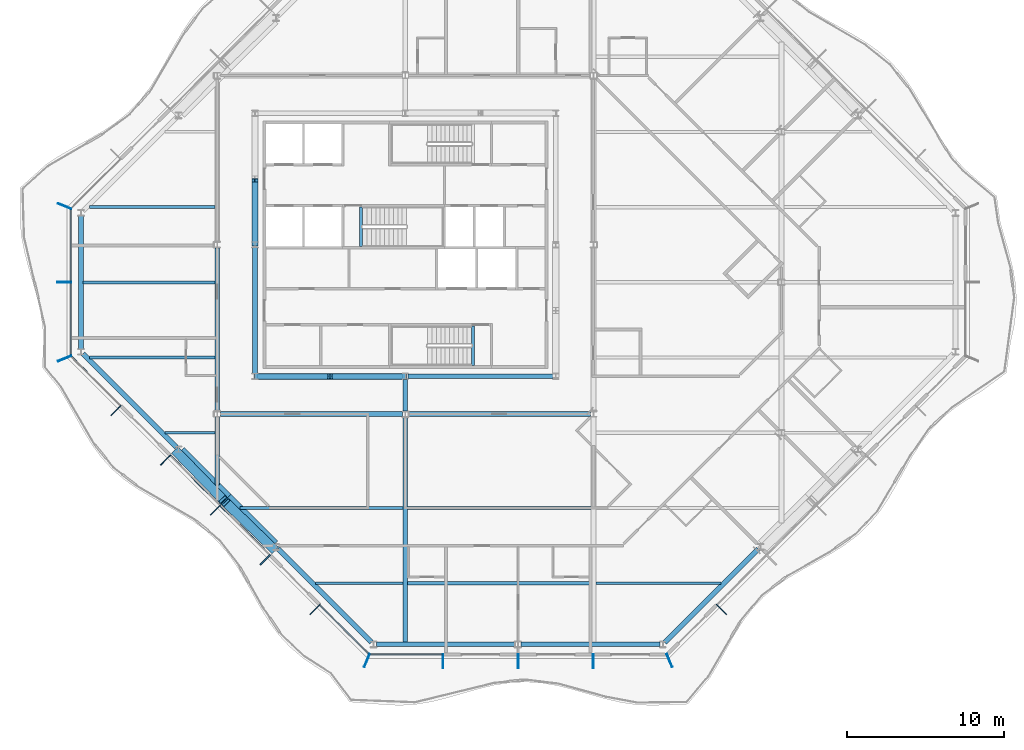
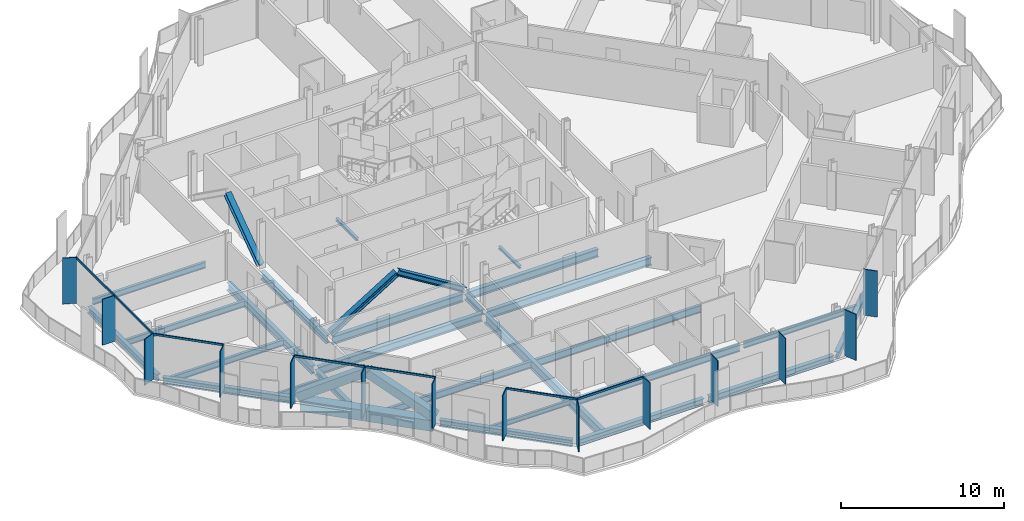
# One storey, part 3 of 17: 28 beams, 26 members, 4 elements without a shape of their own.
"""IFC4 building model written with IfcOpenShell, lengths in metres."""

import ifcopenshell
import ifcopenshell.guid

model = None  # the IFC model being written
_history = None  # IfcOwnerHistory: only IFC2X3 demands one
_inside = {}  # id of a spatial element -> (the spatial element, [elements in it])
_under = {}  # id of a project, library or spatial element -> (it, [spatial elements below it])
_declared = {}  # id of a project -> (the project, [libraries it declares])
_typed = {}  # id of a type object -> (the type object, [elements of that type])
_made_of = {}  # id of a material, layer set ... -> (it, [elements and type objects made of it])


def new_model(schema):
    """Start an empty IFC model of exactly this schema.

    Asked for "IFC4X3", IfcOpenShell would pick the latest addendum, in which some entities
    have other attributes; the version numbers below select the first issue.
    IFC2X3 requires an IfcOwnerHistory on every rooted entity: one is made here for all.
    """
    global model, _history
    if schema == "IFC4X3":
        model = ifcopenshell.file(schema_version=(4, 3, 0, 0))
    else:
        model = ifcopenshell.file(schema=schema)
    _inside.clear()
    _under.clear()
    _declared.clear()
    _typed.clear()
    _made_of.clear()
    _history = None
    if model.schema == "IFC2X3":
        org = make("IfcOrganization", Name="unknown")
        user = make(
            "IfcPersonAndOrganization",
            ThePerson=make("IfcPerson", FamilyName="unknown"),
            TheOrganization=org,
        )
        app = make(
            "IfcApplication",
            ApplicationDeveloper=org,
            Version="unknown",
            ApplicationFullName="unknown",
            ApplicationIdentifier="unknown",
        )
        _history = make(
            "IfcOwnerHistory",
            OwningUser=user,
            OwningApplication=app,
            ChangeAction="ADDED",
            CreationDate=0,
        )
    return model


def make(cls, **values):
    """One entity of the class cls with the attributes given. An attribute that is None is left unset."""
    return model.create_entity(
        cls, **{name: value for name, value in values.items() if value is not None}
    )


def rooted(cls, **values):
    """An entity with a GlobalId (a new one), such as an element, a storey or a relation."""
    return make(cls, GlobalId=ifcopenshell.guid.new(), OwnerHistory=_history, **values)


def si_unit(unit_type, name, prefix=None):
    """IfcSIUnit, for example si_unit("LENGTHUNIT", "METRE", prefix="MILLI")."""
    return make("IfcSIUnit", UnitType=unit_type, Prefix=prefix, Name=name)


def assignment(units):
    """IfcUnitAssignment: the units of a project."""
    return None if units is None else make("IfcUnitAssignment", Units=units)


def point(xyz):
    """IfcCartesianPoint."""
    return None if xyz is None else make("IfcCartesianPoint", Coordinates=xyz)


def direction(xyz):
    """IfcDirection."""
    return None if xyz is None else make("IfcDirection", DirectionRatios=xyz)


def frame(location, z_axis=None, x_axis=None):
    """IfcAxis2Placement3D, a coordinate frame: its origin and axes. An axis left out is left unset."""
    return make(
        "IfcAxis2Placement3D",
        Location=point(location),
        Axis=direction(z_axis),
        RefDirection=direction(x_axis),
    )


def frame_2d(location, x_axis=None):
    """IfcAxis2Placement2D, a coordinate frame in the plane: its origin and x axis."""
    return make(
        "IfcAxis2Placement2D", Location=point(location), RefDirection=direction(x_axis)
    )


def origin():
    """The frame at (0, 0, 0) with its axes left unset."""
    return frame((0.0, 0.0, 0.0))


def origin_2d():
    """The frame at (0, 0) in the plane with its x axis left unset."""
    return frame_2d((0.0, 0.0))


def place(relative_to, where):
    """IfcLocalPlacement: puts the frame where relative to a parent placement (None: the world)."""
    return make(
        "IfcLocalPlacement", PlacementRelTo=relative_to, RelativePlacement=where
    )


def context(
    kind, dimensions, precision=None, world=None, true_north=None, identifier=None
):
    """IfcGeometricRepresentationContext, for example the 3D "Model" context."""
    return make(
        "IfcGeometricRepresentationContext",
        ContextIdentifier=identifier,
        ContextType=kind,
        CoordinateSpaceDimension=dimensions,
        Precision=precision,
        WorldCoordinateSystem=world,
        TrueNorth=true_north,
    )


def subcontext(parent, identifier, kind, view, scale=None):
    """IfcGeometricRepresentationSubContext, for example "Body" below "Model"."""
    return make(
        "IfcGeometricRepresentationSubContext",
        ContextIdentifier=identifier,
        ContextType=kind,
        ParentContext=parent,
        TargetScale=scale,
        TargetView=view,
    )


def project(units=None, contexts=None):
    """IfcProject with its units and contexts."""
    return rooted(
        "IfcProject",
        Name="project",
        RepresentationContexts=contexts,
        UnitsInContext=assignment(units),
    )


def spatial(cls, under=None, at=None, **own):
    """A site, building, storey or space (cls), placed at a placement, below another one or the project."""
    s = rooted(cls, ObjectPlacement=at, **own)
    if under is not None:
        _under.setdefault(under.id(), (under, []))[1].append(s)
    return s


def profile(cls, at=None, kind="AREA", **sizes):
    """A parametric profile (cls). Its sizes go by their IFC names, for example OverallWidth=200.0."""
    return make(cls, ProfileType=kind, Position=at, **sizes)


def rectangle(**sizes):
    """IfcRectangleProfileDef."""
    return profile("IfcRectangleProfileDef", **sizes)


def hollow_rectangle(**sizes):
    """IfcRectangleHollowProfileDef."""
    return profile("IfcRectangleHollowProfileDef", **sizes)


def i_section(**sizes):
    """IfcIShapeProfileDef."""
    return profile("IfcIShapeProfileDef", **sizes)


def extrude(swept, where, along, depth):
    """IfcExtrudedAreaSolid: the profile swept, set in the frame where, extruded along a direction by depth."""
    return make(
        "IfcExtrudedAreaSolid",
        SweptArea=swept,
        Position=where,
        ExtrudedDirection=direction(along),
        Depth=depth,
    )


def shape(context_of_items, identifier, shape_type, items):
    """IfcShapeRepresentation: the items that make up one representation, for example the "Body"."""
    return make(
        "IfcShapeRepresentation",
        ContextOfItems=context_of_items,
        RepresentationIdentifier=identifier,
        RepresentationType=shape_type,
        Items=items,
    )


def material(Name=None, Category=None):
    """IfcMaterial."""
    return make("IfcMaterial", Name=Name, Category=Category)


def material_profile(
    of_material, cross_section, Name=None, Category=None, Priority=None
):
    """IfcMaterialProfile: a cross section and its material."""
    return make(
        "IfcMaterialProfile",
        Name=Name,
        Material=of_material,
        Profile=cross_section,
        Priority=Priority,
        Category=Category,
    )


def profile_set(profiles, Name=None, composite=None):
    """IfcMaterialProfileSet."""
    return make(
        "IfcMaterialProfileSet",
        Name=Name,
        MaterialProfiles=profiles,
        CompositeProfile=composite,
    )


def made_of(thing, what):
    """Note that an element or type object is made of a material, layer set ...; save() writes the relation."""
    if what is not None:
        _made_of.setdefault(what.id(), (what, []))[1].append(thing)
    return thing


def type_object(cls, material=None, **own):
    """A type object (cls), such as IfcWallType, which elements share."""
    return made_of(rooted(cls, **own), material)


def element(
    cls,
    number,
    at=None,
    inside=None,
    cuts=None,
    type_object=None,
    material=None,
    context=None,
    identifier="Body",
    shape_type=None,
    held_by="IfcProductDefinitionShape",
    body=None,
    shapes=None,
    **own,
):
    """One element of the class cls, such as IfcWall. Its Tag is "e" and its number.

    at: its placement. inside: the storey or other place that contains it. cuts: it is an
    opening in that element (IfcRelVoidsElement). A single representation is given by context,
    identifier, shape_type and body (its items); several are given by shapes. held_by: the class
    of the entity that holds the representations. save() writes the other relations.
    """
    e = rooted(cls, Tag="e%d" % number, ObjectPlacement=at, **own)
    if body is not None:
        shapes = [shape(context, identifier, shape_type, body)]
    if shapes is not None:
        e.Representation = make(held_by, Representations=shapes)
    if inside is not None:
        _inside.setdefault(inside.id(), (inside, []))[1].append(e)
    if cuts is not None:
        rooted(
            "IfcRelVoidsElement", RelatingBuildingElement=cuts, RelatedOpeningElement=e
        )
    if type_object is not None:
        _typed.setdefault(type_object.id(), (type_object, []))[1].append(e)
    return made_of(e, material)


def aggregate(whole, parts):
    """IfcRelAggregates: a whole, such as a stair, and the parts it consists of."""
    return rooted("IfcRelAggregates", RelatingObject=whole, RelatedObjects=parts)


def save(model, path):
    """Write the relations noted so far, then the file.

    IfcRelAggregates (storeys below a building ...), IfcRelContainedInSpatialStructure (elements
    in a storey), IfcRelDefinesByType, IfcRelAssociatesMaterial and IfcRelDeclares: one each for
    every whole, place, type object, material and project.
    """
    for whole, parts in _under.values():
        aggregate(whole, parts)
    for where, things in _inside.values():
        rooted(
            "IfcRelContainedInSpatialStructure",
            RelatedElements=things,
            RelatingStructure=where,
        )
    for kind, things in _typed.values():
        rooted("IfcRelDefinesByType", RelatedObjects=things, RelatingType=kind)
    for what, things in _made_of.values():
        rooted("IfcRelAssociatesMaterial", RelatedObjects=things, RelatingMaterial=what)
    for by, libraries in _declared.values():
        rooted("IfcRelDeclares", RelatingContext=by, RelatedDefinitions=libraries)
    model.write(path)


model = new_model("IFC4")

# Units and contexts
model_context = context("Model", 3, precision=1e-05, world=origin(), true_north=direction((0.0, 1.0)))
body_context = subcontext(model_context, "Body", "Model", "MODEL_VIEW")
ifc_project = project(units=[si_unit("LENGTHUNIT", "METRE"), si_unit("AREAUNIT", "SQUARE_METRE"), si_unit("VOLUMEUNIT", "CUBIC_METRE"), si_unit("PLANEANGLEUNIT", "RADIAN"), si_unit("MASSUNIT", "GRAM", prefix="KILO")], contexts=[model_context])

# Site, building, storey
site_placement = place(None, origin())
site = spatial("IfcSite", under=ifc_project, at=site_placement, CompositionType="ELEMENT")
building_placement = place(site_placement, origin())
building = spatial("IfcBuilding", under=site, at=building_placement, Name="Cairn Pilgrim Tower", CompositionType="ELEMENT")
storey_placement = place(building_placement, frame((0.0, 0.0, 253.800048828125)))
storey = spatial("IfcBuildingStorey", under=building, at=storey_placement, Name="L65", CompositionType="ELEMENT", Elevation=253.800048828125)

# Members
ifc_material_1 = material(Name="Structural steel S460M", Category="steel")
ifc_material_profile_1 = material_profile(ifc_material_1, hollow_rectangle(XDim=0.60009765625, YDim=0.60009765625, WallThickness=0.034912109375, at=origin_2d()), Name="BOX 600x600x35")
ifc_profile_set_1 = profile_set([ifc_material_profile_1], Name="Structural steel S460M")
member_type_1 = type_object("IfcMemberType", Name="BOX 600x600x35 BRACE", PredefinedType="BRACE", material=ifc_profile_set_1)
for number, where, z_axis, x_axis, name in (
    (1, (-7.394775390625, -10.813232421875, 0.14990234375), (0.593141693494, -0.611806144004, 0.523331800675), (0.717973624454, 0.696070308653, 0.0), "XB-SW2-SW3-1"),
    (2, (-1.213134765625, -16.99462890625, 0.14990234375), (-0.611806144004, 0.593141693494, 0.523331800675), (-0.696070308653, -0.717973624454, 0.0), "XB-SW2-SW3-2"),
):
    element("IfcMember", number, at=place(storey_placement, frame(where, z_axis=z_axis, x_axis=x_axis)), inside=storey, type_object=member_type_1, Name=name, PredefinedType="BRACE", context=body_context, shape_type="SweptSolid", body=[
        extrude(hollow_rectangle(XDim=0.60009765625, YDim=0.60009765625, WallThickness=0.034912109375, at=origin_2d()), origin(), (0.0, 0.0, 1.0), 5.035888671875),
    ])

# Beams
ifc_material_2 = material(Name="Structural steel S355J2", Category="steel")
ifc_material_profile_2 = material_profile(ifc_material_2, hollow_rectangle(XDim=0.699951171875, YDim=0.800048828125, WallThickness=0.0400390625, at=origin_2d()), Name="BOX 700x800x40")
ifc_profile_set_2 = profile_set([ifc_material_profile_2], Name="Structural steel S355J2")
beam_type_1 = type_object("IfcBeamType", Name="BOX 700x800x40 RING GIRDER", PredefinedType="SPANDREL", material=ifc_profile_set_2)
for number, where, z_axis, x_axis, name in (
    (3, (-7.147216796875, -10.780029296875, -0.550048828125), (0.707106781187, -0.707106781187, 0.0), (0.707106781187, 0.707106781187, 0.0), "RG3-SW2-SW3-1"),
    (4, (-4.16357421875, -13.763671875, -0.550048828125), (0.707106781187, -0.707106781187, 0.0), (0.707106781187, 0.707106781187, 0.0), "RG3-SW2-SW3-2"),
):
    element("IfcBeam", number, at=place(storey_placement, frame(where, z_axis=z_axis, x_axis=x_axis)), inside=storey, type_object=beam_type_1, Name=name, PredefinedType="SPANDREL", context=body_context, shape_type="SweptSolid", body=[
        extrude(hollow_rectangle(XDim=0.699951171875, YDim=0.800048828125, WallThickness=0.0400390625, at=origin_2d()), origin(), (0.0, 0.0, 1.0), 4.219482421875),
    ])

# Curtain wall, members
ifc_material_3 = material(Name="Aluminium alloy 6063-T6 bronze anodised with Bronze tinted laminated low-E glass 8+16+8.8", Category="aluminium")
curtain_wall_type_1 = type_object("IfcCurtainWallType", Name="TOWER STICK CURTAIN WALL NS", PredefinedType="NOTDEFINED", material=ifc_material_3)
curtain_wall_1_placement = place(storey_placement, origin())
curtain_wall_1 = element("IfcCurtainWall", 5, at=curtain_wall_1_placement, inside=storey, type_object=curtain_wall_type_1, Name="Tower Stick Curtain Wall Ns S", PredefinedType="NOTDEFINED")
ifc_material_4 = material(Name="Aluminium alloy 6063-T6 bronze anodised", Category="aluminium")
ifc_material_profile_3 = material_profile(ifc_material_4, rectangle(XDim=0.89990234375, YDim=0.06005859375, at=origin_2d()), Name="FIN MULLION 60x900 BRONZE")
ifc_profile_set_3 = profile_set([ifc_material_profile_3], Name="Aluminium alloy 6063-T6 bronze anodised")
member_type_2 = type_object("IfcMemberType", Name="FIN MULLION 60x900 BRONZE", PredefinedType="MULLION", material=ifc_profile_set_3)
member_1_placement = place(storey_placement, frame((4.742919921875, -24.137939453125, 0.0), z_axis=(0.0, 0.0, 1.0), x_axis=(-0.382683432365, -0.923879532511, 0.0)))
member_1 = element("IfcMember", 6, at=member_1_placement, type_object=member_type_2, Name="Fin mullion S1", PredefinedType="MULLION", context=body_context, shape_type="SweptSolid", body=[
    extrude(rectangle(XDim=0.89990234375, YDim=0.06005859375, at=origin_2d()), origin(), (0.0, 0.0, 1.0), 3.449951171875),
])
member_2_placement = place(storey_placement, frame((9.60009765625, -24.169921875, 0.0), z_axis=(0.0, 0.0, 1.0), x_axis=(0.0, -1.0, 0.0)))
member_2 = element("IfcMember", 7, at=member_2_placement, type_object=member_type_2, Name="Fin mullion S2", PredefinedType="MULLION", context=body_context, shape_type="SweptSolid", body=[
    extrude(rectangle(XDim=0.89990234375, YDim=0.06005859375, at=origin_2d()), origin(), (0.0, 0.0, 1.0), 3.449951171875),
])
member_3_placement = place(storey_placement, frame((14.39990234375, -24.169921875, 0.0), z_axis=(0.0, 0.0, 1.0), x_axis=(0.0, -1.0, 0.0)))
member_3 = element("IfcMember", 8, at=member_3_placement, type_object=member_type_2, Name="Fin mullion S3", PredefinedType="MULLION", context=body_context, shape_type="SweptSolid", body=[
    extrude(rectangle(XDim=0.89990234375, YDim=0.06005859375, at=origin_2d()), origin(), (0.0, 0.0, 1.0), 3.449951171875),
])
member_4_placement = place(storey_placement, frame((19.199951171875, -24.169921875, 0.0), z_axis=(0.0, 0.0, 1.0), x_axis=(0.0, -1.0, 0.0)))
member_4 = element("IfcMember", 9, at=member_4_placement, type_object=member_type_2, Name="Fin mullion S4", PredefinedType="MULLION", context=body_context, shape_type="SweptSolid", body=[
    extrude(rectangle(XDim=0.89990234375, YDim=0.06005859375, at=origin_2d()), origin(), (0.0, 0.0, 1.0), 3.449951171875),
])

curtain_wall_type_2 = type_object("IfcCurtainWallType", Name="CHAMFER CORNER CURTAIN WALL", PredefinedType="NOTDEFINED", material=ifc_material_3)
curtain_wall_2_placement = place(storey_placement, origin())
curtain_wall_2 = element("IfcCurtainWall", 10, at=curtain_wall_2_placement, inside=storey, type_object=curtain_wall_type_2, Name="Chamfer Corner Curtain Wall SE", PredefinedType="NOTDEFINED")
member_5_placement = place(storey_placement, frame((24.05712890625, -24.137939453125, 0.0), z_axis=(0.0, 0.0, 1.0), x_axis=(0.382683432365, -0.923879532511, 0.0)))
member_5 = element("IfcMember", 11, at=member_5_placement, type_object=member_type_2, Name="Fin mullion SE1", PredefinedType="MULLION", context=body_context, shape_type="SweptSolid", body=[
    extrude(rectangle(XDim=0.89990234375, YDim=0.06005859375, at=origin_2d()), origin(), (0.0, 0.0, 1.0), 3.449951171875),
])
member_6_placement = place(storey_placement, frame((27.369140625, -20.871337890625, 0.0), z_axis=(0.0, 0.0, 1.0), x_axis=(0.707106781187, -0.707106781187, 0.0)))
member_6 = element("IfcMember", 12, at=member_6_placement, type_object=member_type_2, Name="Fin mullion SE2", PredefinedType="MULLION", context=body_context, shape_type="SweptSolid", body=[
    extrude(rectangle(XDim=0.89990234375, YDim=0.06005859375, at=origin_2d()), origin(), (0.0, 0.0, 1.0), 3.449951171875),
])
aggregate(curtain_wall_2, [member_5, member_6])

curtain_wall_type_3 = type_object("IfcCurtainWallType", Name="TOWER STICK CURTAIN WALL EW", PredefinedType="NOTDEFINED", material=ifc_material_3)
curtain_wall_3_placement = place(storey_placement, origin())
curtain_wall_3 = element("IfcCurtainWall", 13, at=curtain_wall_3_placement, inside=storey, type_object=curtain_wall_type_3, Name="Tower Stick Curtain Wall Ew W", PredefinedType="NOTDEFINED")
member_7_placement = place(storey_placement, frame((-14.5380859375, 4.857177734375, 0.0), z_axis=(0.0, 0.0, 1.0), x_axis=(-0.923879532511, 0.382683432365, 0.0)))
member_7 = element("IfcMember", 14, at=member_7_placement, type_object=member_type_2, Name="Fin mullion W1", PredefinedType="MULLION", context=body_context, shape_type="SweptSolid", body=[
    extrude(rectangle(XDim=0.89990234375, YDim=0.06005859375, at=origin_2d()), origin(), (0.0, 0.0, 1.0), 3.449951171875),
])
member_8_placement = place(storey_placement, frame((-14.570068359375, 0.0, 0.0), z_axis=(0.0, 0.0, 1.0), x_axis=(-1.0, 0.0, 0.0)))
member_8 = element("IfcMember", 15, at=member_8_placement, type_object=member_type_2, Name="Fin mullion W2", PredefinedType="MULLION", context=body_context, shape_type="SweptSolid", body=[
    extrude(rectangle(XDim=0.89990234375, YDim=0.06005859375, at=origin_2d()), origin(), (0.0, 0.0, 1.0), 3.449951171875),
])

curtain_wall_4_placement = place(storey_placement, origin())
curtain_wall_4 = element("IfcCurtainWall", 16, at=curtain_wall_4_placement, inside=storey, type_object=curtain_wall_type_2, Name="Chamfer Corner Curtain Wall SW", PredefinedType="NOTDEFINED")
member_9_placement = place(storey_placement, frame((-14.5380859375, -4.857177734375, 0.0), z_axis=(0.0, 0.0, 1.0), x_axis=(-0.923879532511, -0.382683432365, 0.0)))
member_9 = element("IfcMember", 17, at=member_9_placement, type_object=member_type_2, Name="Fin mullion SW1", PredefinedType="MULLION", context=body_context, shape_type="SweptSolid", body=[
    extrude(rectangle(XDim=0.89990234375, YDim=0.06005859375, at=origin_2d()), origin(), (0.0, 0.0, 1.0), 3.449951171875),
])
member_10_placement = place(storey_placement, frame((-11.271484375, -8.1689453125, 0.0), z_axis=(0.0, 0.0, 1.0), x_axis=(-0.707106781187, -0.707106781187, 0.0)))
member_10 = element("IfcMember", 18, at=member_10_placement, type_object=member_type_2, Name="Fin mullion SW2", PredefinedType="MULLION", context=body_context, shape_type="SweptSolid", body=[
    extrude(rectangle(XDim=0.89990234375, YDim=0.06005859375, at=origin_2d()), origin(), (0.0, 0.0, 1.0), 3.449951171875),
])
member_11_placement = place(storey_placement, frame((-8.095703125, -11.3447265625, 0.0), z_axis=(0.0, 0.0, 1.0), x_axis=(-0.707106781187, -0.707106781187, 0.0)))
member_11 = element("IfcMember", 19, at=member_11_placement, type_object=member_type_2, Name="Fin mullion SW3", PredefinedType="MULLION", context=body_context, shape_type="SweptSolid", body=[
    extrude(rectangle(XDim=0.89990234375, YDim=0.06005859375, at=origin_2d()), origin(), (0.0, 0.0, 1.0), 3.449951171875),
])
member_12_placement = place(storey_placement, frame((-4.920166015625, -14.520263671875, 0.0), z_axis=(0.0, 0.0, 1.0), x_axis=(-0.707106781187, -0.707106781187, 0.0)))
member_12 = element("IfcMember", 20, at=member_12_placement, type_object=member_type_2, Name="Fin mullion SW4", PredefinedType="MULLION", context=body_context, shape_type="SweptSolid", body=[
    extrude(rectangle(XDim=0.89990234375, YDim=0.06005859375, at=origin_2d()), origin(), (0.0, 0.0, 1.0), 3.449951171875),
])
member_13_placement = place(storey_placement, frame((-1.74462890625, -17.69580078125, 0.0), z_axis=(0.0, 0.0, 1.0), x_axis=(-0.707106781187, -0.707106781187, 0.0)))
member_13 = element("IfcMember", 21, at=member_13_placement, type_object=member_type_2, Name="Fin mullion SW5", PredefinedType="MULLION", context=body_context, shape_type="SweptSolid", body=[
    extrude(rectangle(XDim=0.89990234375, YDim=0.06005859375, at=origin_2d()), origin(), (0.0, 0.0, 1.0), 3.449951171875),
])
member_14_placement = place(storey_placement, frame((1.430908203125, -20.871337890625, 0.0), z_axis=(0.0, 0.0, 1.0), x_axis=(-0.707106781187, -0.707106781187, 0.0)))
member_14 = element("IfcMember", 22, at=member_14_placement, type_object=member_type_2, Name="Fin mullion SW6", PredefinedType="MULLION", context=body_context, shape_type="SweptSolid", body=[
    extrude(rectangle(XDim=0.89990234375, YDim=0.06005859375, at=origin_2d()), origin(), (0.0, 0.0, 1.0), 3.449951171875),
])

# Members
ifc_material_profile_4 = material_profile(ifc_material_2, i_section(OverallWidth=0.39794921875, OverallDepth=0.386962890625, WebThickness=0.02099609375, FlangeThickness=0.033203125, FilletRadius=0.014892578125, at=origin_2d()), Name="HD 400x262")
ifc_profile_set_4 = profile_set([ifc_material_profile_4], Name="Structural steel S355J2")
member_type_3 = type_object("IfcMemberType", Name="HD 400x262 BRACE", PredefinedType="BRACE", material=ifc_profile_set_4)
for number, where, z_axis, x_axis, name in (
    (23, (-2.360107421875, -6.0, 0.099853515625), (0.851197168056, 0.0, 0.524846054661), (0.0, 1.0, 0.0), "KB-1A"),
    (24, (7.16015625, -6.0, 0.099853515625), (-0.851197168056, 0.0, 0.524846054661), (0.0, -1.0, 0.0), "KB-1B"),
):
    element("IfcMember", number, at=place(storey_placement, frame(where, z_axis=z_axis, x_axis=x_axis)), inside=storey, type_object=member_type_3, Name=name, PredefinedType="BRACE", context=body_context, shape_type="SweptSolid", body=[
        extrude(i_section(OverallWidth=0.39794921875, OverallDepth=0.386962890625, WebThickness=0.02099609375, FlangeThickness=0.033203125, FilletRadius=0.014892578125, at=origin_2d()), origin(), (0.0, 0.0, 1.0), 5.52978515625),
    ])
member_15_placement = place(storey_placement, frame((-2.39990234375, 2.439697265625, 0.099853515625), z_axis=(0.0, 0.814462005215, 0.580216892258), x_axis=(-1.0, 0.0, 0.0)))
element("IfcMember", 25, at=member_15_placement, inside=storey, type_object=member_type_3, Name="KB-4B", PredefinedType="BRACE", context=body_context, shape_type="SweptSolid", body=[
    extrude(i_section(OverallWidth=0.39794921875, OverallDepth=0.386962890625, WebThickness=0.02099609375, FlangeThickness=0.033203125, FilletRadius=0.014892578125, at=origin_2d()), origin(), (0.0, 0.0, 1.0), 4.999755859375),
])

# Beams
ifc_material_profile_5 = material_profile(ifc_material_2, i_section(OverallWidth=0.300048828125, OverallDepth=0.39990234375, WebThickness=0.013427734375, FlangeThickness=0.02392578125, FilletRadius=0.027099609375, at=origin_2d()), Name="HEB 400")
ifc_profile_set_5 = profile_set([ifc_material_profile_5], Name="Structural steel S355J2")
beam_type_2 = type_object("IfcBeamType", Name="HEB 400 GIRDER", PredefinedType="BEAM", material=ifc_profile_set_5)
beam_1_placement = place(storey_placement, frame((-4.800048828125, -12.945068359375, -0.35009765625), z_axis=(0.0, 1.0, 0.0), x_axis=(-1.0, 0.0, 0.0)))
element("IfcBeam", 26, at=beam_1_placement, inside=storey, type_object=beam_type_2, Name="PG2-1", PredefinedType="BEAM", context=body_context, shape_type="SweptSolid", body=[
    extrude(i_section(OverallWidth=0.300048828125, OverallDepth=0.39990234375, WebThickness=0.013427734375, FlangeThickness=0.02392578125, FilletRadius=0.027099609375, at=origin_2d()), origin(), (0.0, 0.0, 1.0), 4.34814453125),
])
beam_2_placement = place(storey_placement, frame((7.199951171875, -8.202880859375, -0.35009765625), z_axis=(0.0, 1.0, 0.0), x_axis=(-1.0, 0.0, 0.0)))
element("IfcBeam", 27, at=beam_2_placement, inside=storey, type_object=beam_type_2, Name="PG3-E1", PredefinedType="BEAM", context=body_context, shape_type="SweptSolid", body=[
    extrude(i_section(OverallWidth=0.300048828125, OverallDepth=0.39990234375, WebThickness=0.013427734375, FlangeThickness=0.02392578125, FilletRadius=0.027099609375, at=origin_2d()), origin(), (0.0, 0.0, 1.0), 2.00390625),
])
ifc_material_profile_6 = material_profile(ifc_material_2, i_section(OverallWidth=0.300048828125, OverallDepth=0.5, WebThickness=0.014404296875, FlangeThickness=0.028076171875, FilletRadius=0.027099609375, at=origin_2d()), Name="HEB 500")
ifc_profile_set_6 = profile_set([ifc_material_profile_6], Name="Structural steel S355J2")
beam_type_3 = type_object("IfcBeamType", Name="HEB 500 RING GIRDER", PredefinedType="SPANDREL", material=ifc_profile_set_6)
beam_3_placement = place(storey_placement, frame((5.3544921875, -23.10009765625, -0.400146484375), z_axis=(1.0, 0.0, 0.0), x_axis=(0.0, 1.0, 0.0)))
element("IfcBeam", 28, at=beam_3_placement, inside=storey, type_object=beam_type_3, Name="RG3-S1-S2", PredefinedType="SPANDREL", context=body_context, shape_type="SweptSolid", body=[
    extrude(i_section(OverallWidth=0.300048828125, OverallDepth=0.5, WebThickness=0.014404296875, FlangeThickness=0.028076171875, FilletRadius=0.027099609375, at=origin_2d()), origin(), (0.0, 0.0, 1.0), 8.86376953125),
])
beam_4_placement = place(storey_placement, frame((14.581787109375, -23.10009765625, -0.400146484375), z_axis=(1.0, 0.0, 0.0), x_axis=(0.0, 1.0, 0.0)))
element("IfcBeam", 29, at=beam_4_placement, inside=storey, type_object=beam_type_3, Name="RG3-S2-SE1", PredefinedType="SPANDREL", context=body_context, shape_type="SweptSolid", body=[
    extrude(i_section(OverallWidth=0.300048828125, OverallDepth=0.5, WebThickness=0.014404296875, FlangeThickness=0.028076171875, FilletRadius=0.027099609375, at=origin_2d()), origin(), (0.0, 0.0, 1.0), 8.863525390625),
])
beam_5_placement = place(storey_placement, frame((23.755859375, -22.971435546875, -0.400146484375), z_axis=(0.707106781187, 0.707106781187, 0.0), x_axis=(-0.707106781187, 0.707106781187, 0.0)))
element("IfcBeam", 30, at=beam_5_placement, inside=storey, type_object=beam_type_3, Name="RG3-SE1-SE2", PredefinedType="SPANDREL", context=body_context, shape_type="SweptSolid", body=[
    extrude(i_section(OverallWidth=0.300048828125, OverallDepth=0.5, WebThickness=0.014404296875, FlangeThickness=0.028076171875, FilletRadius=0.027099609375, at=origin_2d()), origin(), (0.0, 0.0, 1.0), 8.438720703125),
])
beam_6_placement = place(storey_placement, frame((-13.5, 4.245361328125, -0.400146484375), z_axis=(0.0, -1.0, 0.0), x_axis=(1.0, 0.0, 0.0)))
element("IfcBeam", 31, at=beam_6_placement, inside=storey, type_object=beam_type_3, Name="RG3-W1-SW1", PredefinedType="SPANDREL", context=body_context, shape_type="SweptSolid", body=[
    extrude(i_section(OverallWidth=0.300048828125, OverallDepth=0.5, WebThickness=0.014404296875, FlangeThickness=0.028076171875, FilletRadius=0.027099609375, at=origin_2d()), origin(), (0.0, 0.0, 1.0), 8.49072265625),
])
for number, where, z_axis, x_axis, name in (
    (32, (-13.371337890625, -4.555908203125, -0.400146484375), (0.707106781187, -0.707106781187, 0.0), (0.707106781187, 0.707106781187, 0.0), "RG3-SW1-SW2"),
    (33, (-0.9228515625, -17.00439453125, -0.400146484375), (0.707106781187, -0.707106781187, 0.0), (0.707106781187, 0.707106781187, 0.0), "RG3-SW3-S1"),
):
    element("IfcBeam", number, at=place(storey_placement, frame(where, z_axis=z_axis, x_axis=x_axis)), inside=storey, type_object=beam_type_3, Name=name, PredefinedType="SPANDREL", context=body_context, shape_type="SweptSolid", body=[
        extrude(i_section(OverallWidth=0.300048828125, OverallDepth=0.5, WebThickness=0.014404296875, FlangeThickness=0.028076171875, FilletRadius=0.027099609375, at=origin_2d()), origin(), (0.0, 0.0, 1.0), 8.438720703125),
    ])
ifc_material_profile_7 = material_profile(ifc_material_2, i_section(OverallWidth=0.300048828125, OverallDepth=0.60009765625, WebThickness=0.015380859375, FlangeThickness=0.030029296875, FilletRadius=0.027099609375, at=origin_2d()), Name="HEB 600")
ifc_profile_set_7 = profile_set([ifc_material_profile_7], Name="Structural steel S355J2")
beam_type_4 = type_object("IfcBeamType", Name="HEB 600 CORE BEAM", PredefinedType="BEAM", material=ifc_profile_set_7)
beam_7_placement = place(storey_placement, frame((-2.220947265625, -6.0, -0.449951171875), z_axis=(1.0, 0.0, 0.0), x_axis=(0.0, 1.0, 0.0)))
element("IfcBeam", 34, at=beam_7_placement, inside=storey, type_object=beam_type_4, Name="CB-1", PredefinedType="BEAM", context=body_context, shape_type="SweptSolid", body=[
    extrude(i_section(OverallWidth=0.300048828125, OverallDepth=0.60009765625, WebThickness=0.015380859375, FlangeThickness=0.030029296875, FilletRadius=0.027099609375, at=origin_2d()), origin(), (0.0, 0.0, 1.0), 9.241943359375),
])
beam_8_placement = place(storey_placement, frame((7.379150390625, -6.0, -0.449951171875), z_axis=(1.0, 0.0, 0.0), x_axis=(0.0, 1.0, 0.0)))
element("IfcBeam", 35, at=beam_8_placement, inside=storey, type_object=beam_type_4, Name="CB-2", PredefinedType="BEAM", context=body_context, shape_type="SweptSolid", body=[
    extrude(i_section(OverallWidth=0.300048828125, OverallDepth=0.60009765625, WebThickness=0.015380859375, FlangeThickness=0.030029296875, FilletRadius=0.027099609375, at=origin_2d()), origin(), (0.0, 0.0, 1.0), 9.24169921875),
])
beam_9_placement = place(storey_placement, frame((-2.39990234375, 2.220947265625, -0.449951171875), z_axis=(0.0, -1.0, 0.0), x_axis=(1.0, 0.0, 0.0)))
element("IfcBeam", 36, at=beam_9_placement, inside=storey, type_object=beam_type_4, Name="CB-8", PredefinedType="BEAM", context=body_context, shape_type="SweptSolid", body=[
    extrude(i_section(OverallWidth=0.300048828125, OverallDepth=0.60009765625, WebThickness=0.015380859375, FlangeThickness=0.030029296875, FilletRadius=0.027099609375, at=origin_2d()), origin(), (0.0, 0.0, 1.0), 8.041748046875),
])
ifc_material_profile_8 = material_profile(ifc_material_2, i_section(OverallWidth=0.300048828125, OverallDepth=0.60009765625, WebThickness=0.015380859375, FlangeThickness=0.030029296875, FilletRadius=0.027099609375, at=origin_2d()), Name="HEB 600")
ifc_profile_set_8 = profile_set([ifc_material_profile_8], Name="Structural steel S355J2")
beam_type_5 = type_object("IfcBeamType", Name="HEB 600 GIRDER", PredefinedType="BEAM", material=ifc_profile_set_8)
beam_10_placement = place(storey_placement, frame((-4.800048828125, -8.202880859375, -0.449951171875), z_axis=(0.0, 1.0, 0.0), x_axis=(-1.0, 0.0, 0.0)))
element("IfcBeam", 37, at=beam_10_placement, inside=storey, type_object=beam_type_5, Name="PG2-2", PredefinedType="BEAM", context=body_context, shape_type="SweptSolid", body=[
    extrude(i_section(OverallWidth=0.300048828125, OverallDepth=0.60009765625, WebThickness=0.015380859375, FlangeThickness=0.030029296875, FilletRadius=0.027099609375, at=origin_2d()), origin(), (0.0, 0.0, 1.0), 10.40576171875),
])
ifc_material_profile_9 = material_profile(ifc_material_2, i_section(OverallWidth=0.300048828125, OverallDepth=0.60009765625, WebThickness=0.015380859375, FlangeThickness=0.030029296875, FilletRadius=0.027099609375, at=origin_2d()), Name="HEB 600")
ifc_profile_set_9 = profile_set([ifc_material_profile_9], Name="Structural steel S355J2")
beam_type_6 = type_object("IfcBeamType", Name="HEB 600 INNER GIRDER", PredefinedType="BEAM", material=ifc_profile_set_9)
for number, where, z_axis, x_axis, name in (
    (38, (-4.60302734375, -8.39990234375, -0.449951171875), (1.0, 0.0, 0.0), (0.0, 1.0, 0.0), "IG1-1"),
    (39, (7.39697265625, -8.39990234375, -0.449951171875), (1.0, 0.0, 0.0), (0.0, 1.0, 0.0), "IG1-2"),
):
    element("IfcBeam", number, at=place(storey_placement, frame(where, z_axis=z_axis, x_axis=x_axis)), inside=storey, type_object=beam_type_6, Name=name, PredefinedType="BEAM", context=body_context, shape_type="SweptSolid", body=[
        extrude(i_section(OverallWidth=0.300048828125, OverallDepth=0.60009765625, WebThickness=0.015380859375, FlangeThickness=0.030029296875, FilletRadius=0.027099609375, at=origin_2d()), origin(), (0.0, 0.0, 1.0), 11.60595703125),
    ])
ifc_material_profile_10 = material_profile(ifc_material_2, i_section(OverallWidth=0.300048828125, OverallDepth=0.699951171875, WebThickness=0.01708984375, FlangeThickness=0.031982421875, FilletRadius=0.027099609375, at=origin_2d()), Name="HEB 700")
ifc_profile_set_10 = profile_set([ifc_material_profile_10], Name="Structural steel S355J2")
beam_type_7 = type_object("IfcBeamType", Name="HEB 700 GIRDER", PredefinedType="BEAM", material=ifc_profile_set_10)
beam_11_placement = place(storey_placement, frame((7.199951171875, -22.97998046875, -0.5), z_axis=(0.0, 1.0, 0.0), x_axis=(-1.0, 0.0, 0.0)))
element("IfcBeam", 40, at=beam_11_placement, inside=storey, type_object=beam_type_7, Name="PG3-1", PredefinedType="BEAM", context=body_context, shape_type="SweptSolid", body=[
    extrude(i_section(OverallWidth=0.300048828125, OverallDepth=0.699951171875, WebThickness=0.01708984375, FlangeThickness=0.031982421875, FilletRadius=0.027099609375, at=origin_2d()), origin(), (0.0, 0.0, 1.0), 14.383056640625),
])
ifc_material_profile_11 = material_profile(ifc_material_2, i_section(OverallWidth=0.169921875, OverallDepth=0.360107421875, WebThickness=0.008056640625, FlangeThickness=0.0126953125, FilletRadius=0.01806640625, at=origin_2d()), Name="IPE 360")
ifc_profile_set_11 = profile_set([ifc_material_profile_11], Name="Structural steel S355J2")
beam_type_8 = type_object("IfcBeamType", Name="IPE 360 SECONDARY BEAM", PredefinedType="JOIST", material=ifc_profile_set_11)
beam_12_placement = place(storey_placement, frame((1.454833984375, -19.199951171875, -0.330078125), z_axis=(1.0, 0.0, 0.0), x_axis=(0.0, 1.0, 0.0)))
element("IfcBeam", 41, at=beam_12_placement, inside=storey, type_object=beam_type_8, Name="SB1-1", PredefinedType="JOIST", context=body_context, shape_type="SweptSolid", body=[
    extrude(i_section(OverallWidth=0.169921875, OverallDepth=0.360107421875, WebThickness=0.008056640625, FlangeThickness=0.0126953125, FilletRadius=0.01806640625, at=origin_2d()), origin(), (0.0, 0.0, 1.0), 5.59521484375),
])
beam_13_placement = place(storey_placement, frame((-8.14501953125, -9.60009765625, -0.330078125), z_axis=(1.0, 0.0, 0.0), x_axis=(0.0, 1.0, 0.0)))
element("IfcBeam", 42, at=beam_13_placement, inside=storey, type_object=beam_type_8, Name="SB3-1", PredefinedType="JOIST", context=body_context, shape_type="SweptSolid", body=[
    extrude(i_section(OverallWidth=0.169921875, OverallDepth=0.360107421875, WebThickness=0.008056640625, FlangeThickness=0.0126953125, FilletRadius=0.01806640625, at=origin_2d()), origin(), (0.0, 0.0, 1.0), 3.195068359375),
])
ifc_material_profile_12 = material_profile(ifc_material_2, i_section(OverallWidth=0.18994140625, OverallDepth=0.449951171875, WebThickness=0.009521484375, FlangeThickness=0.0146484375, FilletRadius=0.02099609375, at=origin_2d()), Name="IPE 450")
ifc_profile_set_12 = profile_set([ifc_material_profile_12], Name="Structural steel S355J2")
beam_type_9 = type_object("IfcBeamType", Name="IPE 450 SECONDARY BEAM", PredefinedType="JOIST", material=ifc_profile_set_12)
for number, where, z_axis, x_axis, name in (
    (43, (19.35009765625, -19.199951171875, -0.375), (1.0, 0.0, 0.0), (0.0, 1.0, 0.0), "SB1-3"),
    (44, (-12.945068359375, -4.800048828125, -0.375), (1.0, 0.0, 0.0), (0.0, 1.0, 0.0), "SB4-1"),
):
    element("IfcBeam", number, at=place(storey_placement, frame(where, z_axis=z_axis, x_axis=x_axis)), inside=storey, type_object=beam_type_9, Name=name, PredefinedType="JOIST", context=body_context, shape_type="SweptSolid", body=[
        extrude(i_section(OverallWidth=0.18994140625, OverallDepth=0.449951171875, WebThickness=0.009521484375, FlangeThickness=0.0146484375, FilletRadius=0.02099609375, at=origin_2d()), origin(), (0.0, 0.0, 1.0), 7.9951171875),
    ])
beam_14_placement = place(storey_placement, frame((-13.3798828125, 0.0, -0.375), z_axis=(1.0, 0.0, 0.0), x_axis=(0.0, 1.0, 0.0)))
element("IfcBeam", 45, at=beam_14_placement, inside=storey, type_object=beam_type_9, Name="SB5-1", PredefinedType="JOIST", context=body_context, shape_type="SweptSolid", body=[
    extrude(i_section(OverallWidth=0.18994140625, OverallDepth=0.449951171875, WebThickness=0.009521484375, FlangeThickness=0.0146484375, FilletRadius=0.02099609375, at=origin_2d()), origin(), (0.0, 0.0, 1.0), 8.429931640625),
])
beam_15_placement = place(storey_placement, frame((-12.945068359375, 4.800048828125, -0.375), z_axis=(1.0, 0.0, 0.0), x_axis=(0.0, 1.0, 0.0)))
element("IfcBeam", 46, at=beam_15_placement, inside=storey, type_object=beam_type_9, Name="SB6-1", PredefinedType="JOIST", context=body_context, shape_type="SweptSolid", body=[
    extrude(i_section(OverallWidth=0.18994140625, OverallDepth=0.449951171875, WebThickness=0.009521484375, FlangeThickness=0.0146484375, FilletRadius=0.02099609375, at=origin_2d()), origin(), (0.0, 0.0, 1.0), 7.9951171875),
])
ifc_material_profile_13 = material_profile(ifc_material_2, i_section(OverallWidth=0.199951171875, OverallDepth=0.5, WebThickness=0.01025390625, FlangeThickness=0.01611328125, FilletRadius=0.02099609375, at=origin_2d()), Name="IPE 500")
ifc_profile_set_13 = profile_set([ifc_material_profile_13], Name="Structural steel S355J2")
beam_type_10 = type_object("IfcBeamType", Name="IPE 500 SECONDARY BEAM", PredefinedType="JOIST", material=ifc_profile_set_13)
beam_16_placement = place(storey_placement, frame((-3.34521484375, -14.39990234375, -0.400146484375), z_axis=(1.0, 0.0, 0.0), x_axis=(0.0, 1.0, 0.0)))
element("IfcBeam", 47, at=beam_16_placement, inside=storey, type_object=beam_type_10, Name="SB2-1", PredefinedType="JOIST", context=body_context, shape_type="SweptSolid", body=[
    extrude(i_section(OverallWidth=0.199951171875, OverallDepth=0.5, WebThickness=0.01025390625, FlangeThickness=0.01611328125, FilletRadius=0.02099609375, at=origin_2d()), origin(), (0.0, 0.0, 1.0), 10.395263671875),
])
ifc_material_profile_14 = material_profile(ifc_material_2, i_section(OverallWidth=0.2099609375, OverallDepth=0.550048828125, WebThickness=0.010986328125, FlangeThickness=0.01708984375, FilletRadius=0.02392578125, at=origin_2d()), Name="IPE 550")
ifc_profile_set_14 = profile_set([ifc_material_profile_14], Name="Structural steel S355J2")
beam_type_11 = type_object("IfcBeamType", Name="IPE 550 SECONDARY BEAM", PredefinedType="JOIST", material=ifc_profile_set_14)
for number, where, z_axis, x_axis, name in (
    (48, (7.35009765625, -19.199951171875, -0.425048828125), (1.0, 0.0, 0.0), (0.0, 1.0, 0.0), "SB1-2"),
    (49, (7.35009765625, -14.39990234375, -0.425048828125), (1.0, 0.0, 0.0), (0.0, 1.0, 0.0), "SB2-2"),
):
    element("IfcBeam", number, at=place(storey_placement, frame(where, z_axis=z_axis, x_axis=x_axis)), inside=storey, type_object=beam_type_11, Name=name, PredefinedType="JOIST", context=body_context, shape_type="SweptSolid", body=[
        extrude(i_section(OverallWidth=0.2099609375, OverallDepth=0.550048828125, WebThickness=0.010986328125, FlangeThickness=0.01708984375, FilletRadius=0.02392578125, at=origin_2d()), origin(), (0.0, 0.0, 1.0), 11.699951171875),
    ])
ifc_material_profile_15 = material_profile(ifc_material_2, i_section(OverallWidth=0.199951171875, OverallDepth=0.199951171875, WebThickness=0.009033203125, FlangeThickness=0.014892578125, FilletRadius=0.01806640625, at=origin_2d()), Name="HE 200 B")
ifc_profile_set_15 = profile_set([ifc_material_profile_15], Name="Structural steel S355J2")
beam_type_12 = type_object("IfcBeamType", Name="STAIR LANDING BEAM HE 200 B", PredefinedType="BEAM", material=ifc_profile_set_15)
beam_17_placement = place(storey_placement, frame((11.5244140625, -2.77490234375, -0.25), z_axis=(0.0, -1.0, 0.0), x_axis=(1.0, 0.0, 0.0)))
element("IfcBeam", 50, at=beam_17_placement, inside=storey, type_object=beam_type_12, Name="STAIR LANDING BEAM LD-HE200B", PredefinedType="BEAM", context=body_context, shape_type="SweptSolid", body=[
    extrude(i_section(OverallWidth=0.199951171875, OverallDepth=0.199951171875, WebThickness=0.009033203125, FlangeThickness=0.014892578125, FilletRadius=0.01806640625, at=origin_2d()), origin(), (0.0, 0.0, 1.0), 2.525146484375),
])
beam_18_placement = place(storey_placement, frame((4.37548828125, 2.27490234375, -0.25), z_axis=(0.0, 1.0, 0.0), x_axis=(-1.0, 0.0, 0.0)))
element("IfcBeam", 51, at=beam_18_placement, inside=storey, type_object=beam_type_12, Name="STAIR LANDING BEAM LD-HE200B", PredefinedType="BEAM", context=body_context, shape_type="SweptSolid", body=[
    extrude(i_section(OverallWidth=0.199951171875, OverallDepth=0.199951171875, WebThickness=0.009033203125, FlangeThickness=0.014892578125, FilletRadius=0.01806640625, at=origin_2d()), origin(), (0.0, 0.0, 1.0), 2.550048828125),
])

# Member
ifc_material_profile_16 = material_profile(ifc_material_4, rectangle(XDim=0.080078125, YDim=0.14990234375, at=origin_2d()), Name="TRANSOM 80x150 BRONZE")
ifc_profile_set_16 = profile_set([ifc_material_profile_16], Name="Aluminium alloy 6063-T6 bronze anodised")
member_type_4 = type_object("IfcMemberType", Name="TRANSOM 80x150 BRONZE", PredefinedType="USERDEFINED", material=ifc_profile_set_16)
member_16_placement = place(storey_placement, frame((4.943603515625, -23.75, 3.375), z_axis=(1.0, 0.0, 0.0), x_axis=(0.0, 1.0, 0.0)))
member_16 = element("IfcMember", 52, at=member_16_placement, type_object=member_type_4, Name="Transom S1", ObjectType="TRANSOM", PredefinedType="USERDEFINED", context=body_context, shape_type="SweptSolid", body=[
    extrude(rectangle(XDim=0.080078125, YDim=0.14990234375, at=origin_2d()), origin(), (0.0, 0.0, 1.0), 4.62646484375),
])

aggregate(curtain_wall_1, [member_1, member_2, member_3, member_4, member_16])

member_17_placement = place(storey_placement, frame((-14.14990234375, 4.656494140625, 3.375), z_axis=(0.0, -1.0, 0.0), x_axis=(1.0, 0.0, 0.0)))
member_17 = element("IfcMember", 53, at=member_17_placement, type_object=member_type_4, Name="Transom W1", ObjectType="TRANSOM", PredefinedType="USERDEFINED", context=body_context, shape_type="SweptSolid", body=[
    extrude(rectangle(XDim=0.080078125, YDim=0.14990234375, at=origin_2d()), origin(), (0.0, 0.0, 1.0), 4.62646484375),
])

member_18_placement = place(storey_placement, frame((-14.14990234375, -0.030029296875, 3.375), z_axis=(0.0, -1.0, 0.0), x_axis=(1.0, 0.0, 0.0)))
member_18 = element("IfcMember", 54, at=member_18_placement, type_object=member_type_4, Name="Transom W2", ObjectType="TRANSOM", PredefinedType="USERDEFINED", context=body_context, shape_type="SweptSolid", body=[
    extrude(rectangle(XDim=0.080078125, YDim=0.14990234375, at=origin_2d()), origin(), (0.0, 0.0, 1.0), 4.62646484375),
])

aggregate(curtain_wall_3, [member_7, member_8, member_17, member_18])

member_19_placement = place(storey_placement, frame((-14.121826171875, -4.724609375, 3.375), z_axis=(0.707106781187, -0.707106781187, 0.0), x_axis=(0.707106781187, 0.707106781187, 0.0)))
member_19 = element("IfcMember", 55, at=member_19_placement, type_object=member_type_4, Name="Transom SW1", ObjectType="TRANSOM", PredefinedType="USERDEFINED", context=body_context, shape_type="SweptSolid", body=[
    extrude(rectangle(XDim=0.080078125, YDim=0.14990234375, at=origin_2d()), origin(), (0.0, 0.0, 1.0), 4.421142578125),
])

member_20_placement = place(storey_placement, frame((-7.777587890625, -11.06884765625, 3.375), z_axis=(0.707106781187, -0.707106781187, 0.0), x_axis=(0.707106781187, 0.707106781187, 0.0)))
member_20 = element("IfcMember", 56, at=member_20_placement, type_object=member_type_4, Name="Transom SW3", ObjectType="TRANSOM", PredefinedType="USERDEFINED", context=body_context, shape_type="SweptSolid", body=[
    extrude(rectangle(XDim=0.080078125, YDim=0.14990234375, at=origin_2d()), origin(), (0.0, 0.0, 1.0), 4.430908203125),
])

member_21_placement = place(storey_placement, frame((-4.60205078125, -14.244384765625, 3.375), z_axis=(0.707106781187, -0.707106781187, 0.0), x_axis=(0.707106781187, 0.707106781187, 0.0)))
member_21 = element("IfcMember", 57, at=member_21_placement, type_object=member_type_4, Name="Transom SW4", ObjectType="TRANSOM", PredefinedType="USERDEFINED", context=body_context, shape_type="SweptSolid", body=[
    extrude(rectangle(XDim=0.080078125, YDim=0.14990234375, at=origin_2d()), origin(), (0.0, 0.0, 1.0), 4.43115234375),
])

member_22_placement = place(storey_placement, frame((1.749267578125, -20.595703125, 3.375), z_axis=(0.707106781187, -0.707106781187, 0.0), x_axis=(0.707106781187, 0.707106781187, 0.0)))
member_22 = element("IfcMember", 58, at=member_22_placement, type_object=member_type_4, Name="Transom SW6", ObjectType="TRANSOM", PredefinedType="USERDEFINED", context=body_context, shape_type="SweptSolid", body=[
    extrude(rectangle(XDim=0.080078125, YDim=0.14990234375, at=origin_2d()), origin(), (0.0, 0.0, 1.0), 4.4208984375),
])

aggregate(curtain_wall_4, [member_9, member_10, member_11, member_12, member_13, member_14, member_19, member_20, member_21, member_22])

save(model, "model.ifc")
